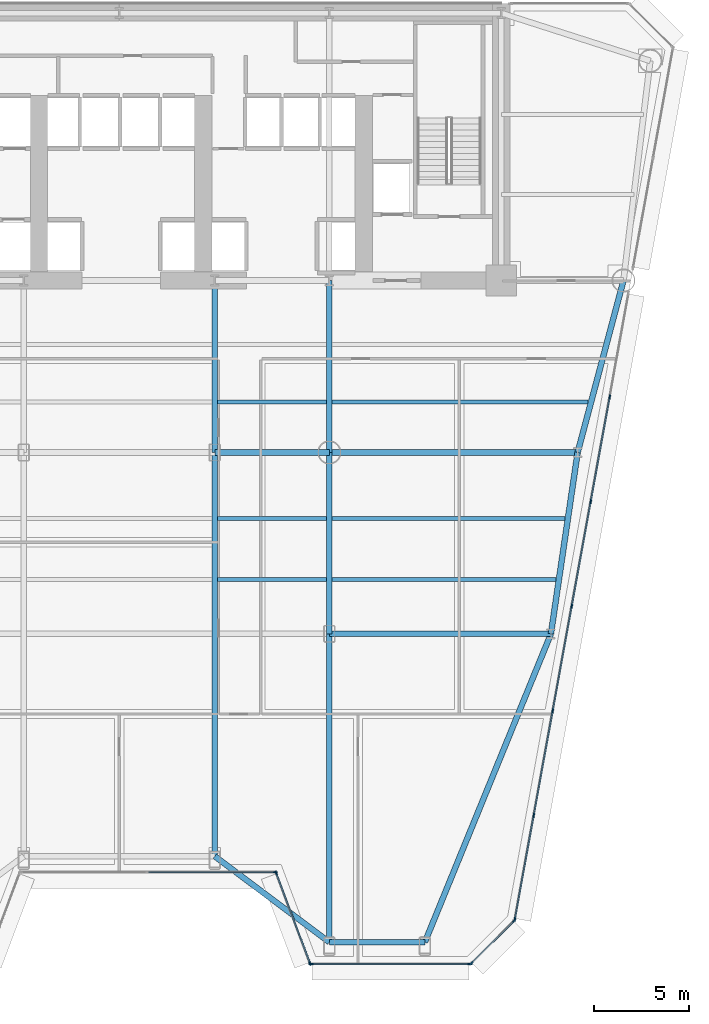
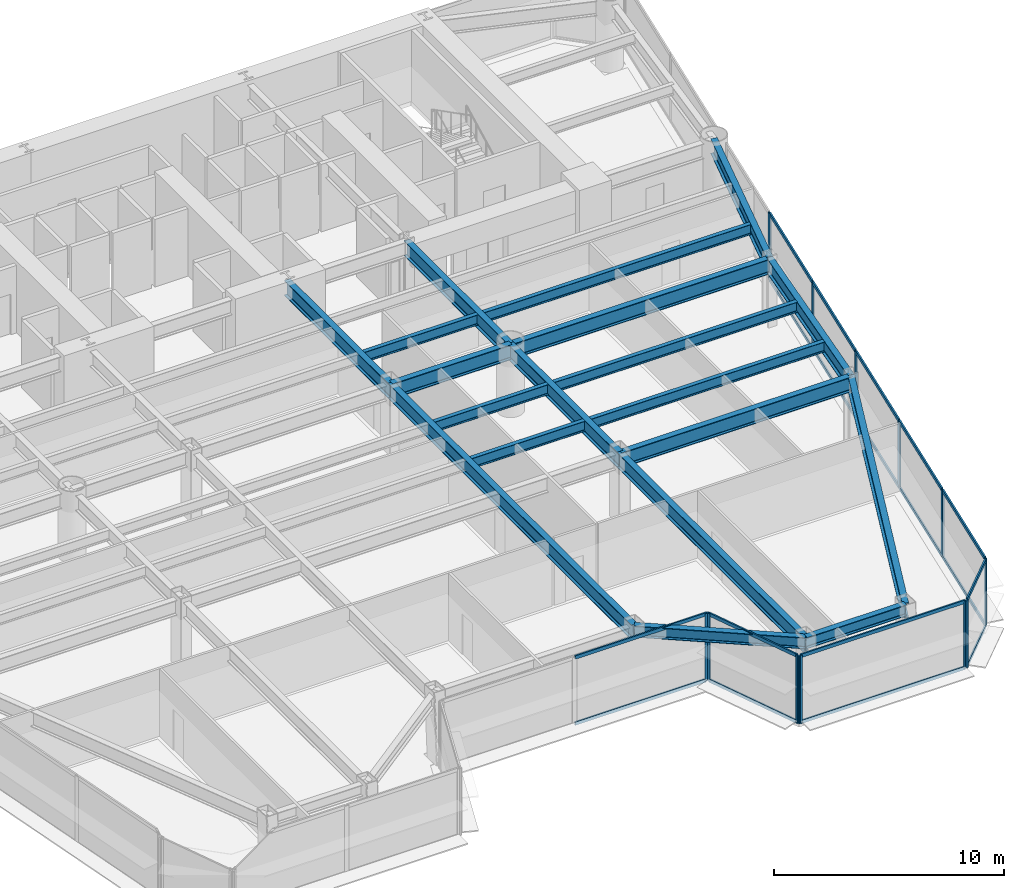
# One storey, part 4 of 14: 31 members, 19 beams, 5 elements without a shape of their own.
"""IFC4 building model written with IfcOpenShell, lengths in metres."""

from ifc_helpers import new_model, si_unit, direction, frame, origin, origin_2d, place, context, subcontext, project, spatial, rectangle, i_section, extrude, source, transform, mapped, material, layer, layer_set, material_profile, profile_set, type_object, element, aggregate, save


model = new_model("IFC4")

# Units and contexts
model_context = context("Model", 3, precision=1e-05, world=origin(), true_north=direction((0.0, 1.0)))
body_context = subcontext(model_context, "Body", "Model", "MODEL_VIEW")
ifc_project = project(units=[si_unit("LENGTHUNIT", "METRE"), si_unit("AREAUNIT", "SQUARE_METRE"), si_unit("VOLUMEUNIT", "CUBIC_METRE"), si_unit("PLANEANGLEUNIT", "RADIAN"), si_unit("MASSUNIT", "GRAM", prefix="KILO")], contexts=[model_context])

# Site, building, storey
site_placement = place(None, origin())
site = spatial("IfcSite", under=ifc_project, at=site_placement, CompositionType="ELEMENT")
building_placement = place(site_placement, origin())
building = spatial("IfcBuilding", under=site, at=building_placement, Name="Vaeldorn Concourse Tower", CompositionType="ELEMENT")
storey_placement = place(building_placement, frame((0.0, 0.0, 30.199951171875)))
storey = spatial("IfcBuildingStorey", under=building, at=storey_placement, Name="L07", CompositionType="ELEMENT", Elevation=30.199951171875)

# Beams
ifc_material_1 = material(Name="Steel S355", Category="steel")
ifc_material_profile_1 = material_profile(ifc_material_1, i_section(OverallWidth=0.300048828125, OverallDepth=0.800048828125, WebThickness=0.017578125, FlangeThickness=0.032958984375, FilletRadius=0.030029296875, at=origin_2d()), Name="HEB 800")
ifc_profile_set_1 = profile_set([ifc_material_profile_1], Name="Steel S355")
beam_type_1 = type_object("IfcBeamType", Name="BM-PG-HEB800", PredefinedType="BEAM", material=ifc_profile_set_1)
shared_shape_1 = source(origin(), body_context, "Body", "SweptSolid", [
    extrude(i_section(OverallWidth=0.300048828125, OverallDepth=0.800048828125, WebThickness=0.017578125, FlangeThickness=0.032958984375, FilletRadius=0.030029296875, at=origin_2d()), origin(), (0.0, 0.0, 1.0), 6.0),
])
beam_1_placement = place(storey_placement, frame((39.0, 27.5, 3.179931640625), z_axis=(1.0, 0.0, 0.0), x_axis=(0.0, 1.0, 0.0)))
element("IfcBeam", 1, at=beam_1_placement, inside=storey, type_object=beam_type_1, Name="Beam BM-L07-C-TW3-C-TW4", PredefinedType="BEAM", context=body_context, shape_type="MappedRepresentation", body=[
    mapped(shared_shape_1, transform((0.0, 0.0, 0.0), scale=1.0)),
])
shared_shape_2 = source(origin(), body_context, "Body", "SweptSolid", [
    extrude(i_section(OverallWidth=0.300048828125, OverallDepth=0.800048828125, WebThickness=0.017578125, FlangeThickness=0.032958984375, FilletRadius=0.030029296875, at=origin_2d()), origin(), (0.0, 0.0, 1.0), 9.0),
])
for number, where, z_axis, x_axis, name in (
    (2, (39.0, 27.5, 3.179931640625), (0.0, 1.0, 0.0), (-1.0, 0.0, 0.0), "Beam BM-L07-C-TW3-C-FC4"),
    (3, (45.0, 27.5, 3.179931640625), (0.0, 1.0, 0.0), (-1.0, 0.0, 0.0), "Beam BM-L07-C-TW4-C-FC5"),
):
    element("IfcBeam", number, at=place(storey_placement, frame(where, z_axis=z_axis, x_axis=x_axis)), inside=storey, type_object=beam_type_1, Name=name, PredefinedType="BEAM", context=body_context, shape_type="MappedRepresentation", body=[
        mapped(shared_shape_2, transform((0.0, 0.0, 0.0), scale=1.0)),
    ])
shared_shape_3 = source(origin(), body_context, "Body", "SweptSolid", [
    extrude(i_section(OverallWidth=0.300048828125, OverallDepth=0.800048828125, WebThickness=0.017578125, FlangeThickness=0.032958984375, FilletRadius=0.030029296875, at=origin_2d()), origin(), (0.0, 0.0, 1.0), 9.314453125),
])
beam_2_placement = place(storey_placement, frame((60.39990234375, 36.5, 3.179931640625), z_axis=(-0.257652862255, -0.966237549763, 0.0), x_axis=(0.966237549763, -0.257652862255, 0.0)))
element("IfcBeam", 4, at=beam_2_placement, inside=storey, type_object=beam_type_1, Name="Beam BM-L07-C-NE2-C-FLE1", PredefinedType="BEAM", context=body_context, shape_type="MappedRepresentation", body=[
    mapped(shared_shape_3, transform((0.0, 0.0, 0.0), scale=1.0)),
])
shared_shape_4 = source(origin(), body_context, "Body", "SweptSolid", [
    extrude(i_section(OverallWidth=0.300048828125, OverallDepth=0.800048828125, WebThickness=0.017578125, FlangeThickness=0.032958984375, FilletRadius=0.030029296875, at=origin_2d()), origin(), (0.0, 0.0, 1.0), 13.0),
])
beam_3_placement = place(storey_placement, frame((45.0, 27.5, 3.179931640625), z_axis=(1.0, 0.0, 0.0), x_axis=(0.0, 1.0, 0.0)))
element("IfcBeam", 5, at=beam_3_placement, inside=storey, type_object=beam_type_1, Name="Beam BM-L07-C-TW4-C-FLE1", PredefinedType="BEAM", context=body_context, shape_type="MappedRepresentation", body=[
    mapped(shared_shape_4, transform((0.0, 0.0, 0.0), scale=1.0)),
])
ifc_material_profile_2 = material_profile(ifc_material_1, i_section(OverallWidth=0.300048828125, OverallDepth=0.60009765625, WebThickness=0.015380859375, FlangeThickness=0.030029296875, FilletRadius=0.027099609375, at=origin_2d()), Name="HEB 600")
ifc_profile_set_2 = profile_set([ifc_material_profile_2], Name="Steel S355")
beam_type_2 = type_object("IfcBeamType", Name="BM-SP-HEB600", PredefinedType="SPANDREL", material=ifc_profile_set_2)
shared_shape_5 = source(origin(), body_context, "Body", "SweptSolid", [
    extrude(i_section(OverallWidth=0.300048828125, OverallDepth=0.60009765625, WebThickness=0.015380859375, FlangeThickness=0.030029296875, FilletRadius=0.027099609375, at=origin_2d()), origin(), (0.0, 0.0, 1.0), 5.0),
])
beam_4_placement = place(storey_placement, frame((45.0, 1.856201171875, 3.280029296875), z_axis=(1.0, 0.0, 0.0), x_axis=(0.0, 1.0, 0.0)))
element("IfcBeam", 6, at=beam_4_placement, inside=storey, type_object=beam_type_2, Name="Beam BM-L07-C-SF5-C-SF6", PredefinedType="SPANDREL", context=body_context, shape_type="MappedRepresentation", body=[
    mapped(shared_shape_5, transform((0.0, 0.0, 0.0), scale=1.0)),
])
shared_shape_6 = source(origin(), body_context, "Body", "SweptSolid", [
    extrude(i_section(OverallWidth=0.300048828125, OverallDepth=0.60009765625, WebThickness=0.015380859375, FlangeThickness=0.030029296875, FilletRadius=0.027099609375, at=origin_2d()), origin(), (0.0, 0.0, 1.0), 7.5),
])
beam_5_placement = place(storey_placement, frame((39.0, 6.356201171875, 3.280029296875), z_axis=(0.8, -0.6, 0.0), x_axis=(0.6, 0.8, 0.0)))
element("IfcBeam", 7, at=beam_5_placement, inside=storey, type_object=beam_type_2, Name="Beam BM-L07-C-SF4-C-SF5", PredefinedType="SPANDREL", context=body_context, shape_type="MappedRepresentation", body=[
    mapped(shared_shape_6, transform((0.0, 0.0, 0.0), scale=1.0)),
])
shared_shape_7 = source(origin(), body_context, "Body", "SweptSolid", [
    extrude(i_section(OverallWidth=0.300048828125, OverallDepth=0.800048828125, WebThickness=0.017578125, FlangeThickness=0.032958984375, FilletRadius=0.030029296875, at=origin_2d()), origin(), (0.0, 0.0, 1.0), 9.6025390625),
])
beam_6_placement = place(storey_placement, frame((58.0, 27.5, 3.179931640625), z_axis=(-0.145783835977, -0.989316467652, 0.0), x_axis=(0.989316467652, -0.145783835977, 0.0)))
element("IfcBeam", 8, at=beam_6_placement, inside=storey, type_object=beam_type_1, Name="Beam BM-L07-C-FLE1-C-FLE2", PredefinedType="BEAM", context=body_context, shape_type="MappedRepresentation", body=[
    mapped(shared_shape_7, transform((0.0, 0.0, 0.0), scale=1.0)),
])
shared_shape_8 = source(origin(), body_context, "Body", "SweptSolid", [
    extrude(i_section(OverallWidth=0.300048828125, OverallDepth=0.800048828125, WebThickness=0.017578125, FlangeThickness=0.032958984375, FilletRadius=0.030029296875, at=origin_2d()), origin(), (0.0, 0.0, 1.0), 11.60009765625),
])
beam_7_placement = place(storey_placement, frame((45.0, 18.0, 3.179931640625), z_axis=(1.0, 0.0, 0.0), x_axis=(0.0, 1.0, 0.0)))
element("IfcBeam", 9, at=beam_7_placement, inside=storey, type_object=beam_type_1, Name="Beam BM-L07-C-TW6-C-FLE2", PredefinedType="BEAM", context=body_context, shape_type="MappedRepresentation", body=[
    mapped(shared_shape_8, transform((0.0, 0.0, 0.0), scale=1.0)),
])
shared_shape_9 = source(origin(), body_context, "Body", "SweptSolid", [
    extrude(i_section(OverallWidth=0.300048828125, OverallDepth=0.800048828125, WebThickness=0.017578125, FlangeThickness=0.032958984375, FilletRadius=0.030029296875, at=origin_2d()), origin(), (0.0, 0.0, 1.0), 9.5),
])
beam_8_placement = place(storey_placement, frame((45.0, 18.0, 3.179931640625), z_axis=(0.0, 1.0, 0.0), x_axis=(-1.0, 0.0, 0.0)))
element("IfcBeam", 10, at=beam_8_placement, inside=storey, type_object=beam_type_1, Name="Beam BM-L07-C-TW6-C-TW4", PredefinedType="BEAM", context=body_context, shape_type="MappedRepresentation", body=[
    mapped(shared_shape_9, transform((0.0, 0.0, 0.0), scale=1.0)),
])
ifc_material_profile_3 = material_profile(ifc_material_1, i_section(OverallWidth=0.2099609375, OverallDepth=0.550048828125, WebThickness=0.010986328125, FlangeThickness=0.01708984375, FilletRadius=0.02392578125, at=origin_2d()), Name="IPE 550")
ifc_profile_set_3 = profile_set([ifc_material_profile_3], Name="Steel S355")
beam_type_3 = type_object("IfcBeamType", Name="BM-JS-IPE550", PredefinedType="JOIST", material=ifc_profile_set_3)
shared_shape_10 = source(origin(), body_context, "Body", "SweptSolid", [
    extrude(i_section(OverallWidth=0.2099609375, OverallDepth=0.550048828125, WebThickness=0.010986328125, FlangeThickness=0.01708984375, FilletRadius=0.02392578125, at=origin_2d()), origin(), (0.0, 0.0, 1.0), 5.7001953125),
])
for number, where, z_axis, x_axis, name in (
    (11, (39.14990234375, 20.840087890625, 3.304931640625), (1.0, 0.0, 0.0), (0.0, 1.0, 0.0), "Beam JS-L07-E2-208"),
    (12, (39.14990234375, 24.0400390625, 3.304931640625), (1.0, 0.0, 0.0), (0.0, 1.0, 0.0), "Beam JS-L07-E2-240"),
    (13, (39.14990234375, 30.139892578125, 3.304931640625), (1.0, 0.0, 0.0), (0.0, 1.0, 0.0), "Beam JS-L07-E2-301"),
):
    element("IfcBeam", number, at=place(storey_placement, frame(where, z_axis=z_axis, x_axis=x_axis)), inside=storey, type_object=beam_type_3, Name=name, PredefinedType="JOIST", context=body_context, shape_type="MappedRepresentation", body=[
        mapped(shared_shape_10, transform((0.0, 0.0, 0.0), scale=1.0)),
    ])
shared_shape_11 = source(origin(), body_context, "Body", "SweptSolid", [
    extrude(i_section(OverallWidth=0.300048828125, OverallDepth=0.800048828125, WebThickness=0.017578125, FlangeThickness=0.032958984375, FilletRadius=0.030029296875, at=origin_2d()), origin(), (0.0, 0.0, 1.0), 17.44091796875),
])
beam_9_placement = place(storey_placement, frame((50.0, 1.856201171875, 3.179931640625), z_axis=(0.378427347763, 0.925630996923, 0.0), x_axis=(-0.925630996923, 0.378427347763, 0.0)))
element("IfcBeam", 14, at=beam_9_placement, inside=storey, type_object=beam_type_1, Name="Beam BM-L07-C-SF6-C-FLE2", PredefinedType="BEAM", context=body_context, shape_type="MappedRepresentation", body=[
    mapped(shared_shape_11, transform((0.0, 0.0, 0.0), scale=1.0)),
])
shared_shape_12 = source(origin(), body_context, "Body", "SweptSolid", [
    extrude(i_section(OverallWidth=0.300048828125, OverallDepth=0.800048828125, WebThickness=0.017578125, FlangeThickness=0.032958984375, FilletRadius=0.030029296875, at=origin_2d()), origin(), (0.0, 0.0, 1.0), 16.143798828125),
])
beam_10_placement = place(storey_placement, frame((45.0, 1.856201171875, 3.179931640625), z_axis=(0.0, 1.0, 0.0), x_axis=(-1.0, 0.0, 0.0)))
element("IfcBeam", 15, at=beam_10_placement, inside=storey, type_object=beam_type_1, Name="Beam BM-L07-C-SF5-C-TW6", PredefinedType="BEAM", context=body_context, shape_type="MappedRepresentation", body=[
    mapped(shared_shape_12, transform((0.0, 0.0, 0.0), scale=1.0)),
])
shared_shape_13 = source(origin(), body_context, "Body", "SweptSolid", [
    extrude(i_section(OverallWidth=0.300048828125, OverallDepth=0.800048828125, WebThickness=0.017578125, FlangeThickness=0.032958984375, FilletRadius=0.030029296875, at=origin_2d()), origin(), (0.0, 0.0, 1.0), 21.143798828125),
])
beam_11_placement = place(storey_placement, frame((39.0, 6.356201171875, 3.179931640625), z_axis=(0.0, 1.0, 0.0), x_axis=(-1.0, 0.0, 0.0)))
element("IfcBeam", 16, at=beam_11_placement, inside=storey, type_object=beam_type_1, Name="Beam BM-L07-C-SF4-C-TW3", PredefinedType="BEAM", context=body_context, shape_type="MappedRepresentation", body=[
    mapped(shared_shape_13, transform((0.0, 0.0, 0.0), scale=1.0)),
])
shared_shape_14 = source(origin(), body_context, "Body", "SweptSolid", [
    extrude(i_section(OverallWidth=0.2099609375, OverallDepth=0.550048828125, WebThickness=0.010986328125, FlangeThickness=0.01708984375, FilletRadius=0.02392578125, at=origin_2d()), origin(), (0.0, 0.0, 1.0), 11.718505859375),
])
beam_12_placement = place(storey_placement, frame((45.14990234375, 20.840087890625, 3.304931640625), z_axis=(1.0, 0.0, 0.0), x_axis=(0.0, 1.0, 0.0)))
element("IfcBeam", 17, at=beam_12_placement, inside=storey, type_object=beam_type_3, Name="Beam JS-L07-E1-208", PredefinedType="JOIST", context=body_context, shape_type="MappedRepresentation", body=[
    mapped(shared_shape_14, transform((0.0, 0.0, 0.0), scale=1.0)),
])
shared_shape_15 = source(origin(), body_context, "Body", "SweptSolid", [
    extrude(i_section(OverallWidth=0.2099609375, OverallDepth=0.550048828125, WebThickness=0.010986328125, FlangeThickness=0.01708984375, FilletRadius=0.02392578125, at=origin_2d()), origin(), (0.0, 0.0, 1.0), 12.190185546875),
])
beam_13_placement = place(storey_placement, frame((45.14990234375, 24.0400390625, 3.304931640625), z_axis=(1.0, 0.0, 0.0), x_axis=(0.0, 1.0, 0.0)))
element("IfcBeam", 18, at=beam_13_placement, inside=storey, type_object=beam_type_3, Name="Beam JS-L07-E1-240", PredefinedType="JOIST", context=body_context, shape_type="MappedRepresentation", body=[
    mapped(shared_shape_15, transform((0.0, 0.0, 0.0), scale=1.0)),
])
shared_shape_16 = source(origin(), body_context, "Body", "SweptSolid", [
    extrude(i_section(OverallWidth=0.2099609375, OverallDepth=0.550048828125, WebThickness=0.010986328125, FlangeThickness=0.01708984375, FilletRadius=0.02392578125, at=origin_2d()), origin(), (0.0, 0.0, 1.0), 13.404052734375),
])
beam_14_placement = place(storey_placement, frame((45.14990234375, 30.139892578125, 3.304931640625), z_axis=(1.0, 0.0, 0.0), x_axis=(0.0, 1.0, 0.0)))
element("IfcBeam", 19, at=beam_14_placement, inside=storey, type_object=beam_type_3, Name="Beam JS-L07-E1-301", PredefinedType="JOIST", context=body_context, shape_type="MappedRepresentation", body=[
    mapped(shared_shape_16, transform((0.0, 0.0, 0.0), scale=1.0)),
])

# Curtain wall, members
ifc_material_2 = material(Name="Anodised Bronze Aluminium", Category="aluminium")
ifc_layer = layer(ifc_material_2, 0.219970703125)
ifc_layer_set = layer_set([ifc_layer], Name="Anodised Bronze Aluminium")
curtain_wall_type = type_object("IfcCurtainWallType", Name="CW-SYS-01", PredefinedType="NOTDEFINED", material=ifc_layer_set)
curtain_wall_1_placement = place(storey_placement, origin())
curtain_wall_1 = element("IfcCurtainWall", 20, at=curtain_wall_1_placement, inside=storey, type_object=curtain_wall_type, Name="Unitised Curtain Wall CW-L07-E03-1", PredefinedType="NOTDEFINED")
ifc_material_profile_4 = material_profile(ifc_material_2, rectangle(XDim=0.074951171875, YDim=0.179931640625, at=origin_2d()), Name="CWT 75x180")
ifc_profile_set_4 = profile_set([ifc_material_profile_4], Name="Anodised Bronze Aluminium")
member_type_1 = type_object("IfcMemberType", Name="CWT-BRONZE-180", PredefinedType="USERDEFINED", material=ifc_profile_set_4)
shared_shape_17 = source(origin(), body_context, "Body", "SweptSolid", [
    extrude(rectangle(XDim=0.074951171875, YDim=0.179931640625, at=origin_2d()), origin(), (0.0, 0.0, 1.0), 6.58740234375),
])
member_1_placement = place(storey_placement, frame((35.53759765625, 5.51708984375, 0.03759765625), z_axis=(1.0, 0.0, 0.0), x_axis=(0.0, 1.0, 0.0)))
member_1 = element("IfcMember", 21, at=member_1_placement, type_object=member_type_1, Name="CW-01 transom 2.1", ObjectType="TRANSOM", PredefinedType="USERDEFINED", context=body_context, shape_type="MappedRepresentation", body=[
    mapped(shared_shape_17, transform((0.0, 0.0, 0.0), scale=1.0)),
])
member_2_placement = place(storey_placement, frame((35.53759765625, 5.51708984375, 3.54248046875), z_axis=(1.0, 0.0, 0.0), x_axis=(0.0, 1.0, 0.0)))
member_2 = element("IfcMember", 22, at=member_2_placement, type_object=member_type_1, Name="CW-01 transom 2.2", ObjectType="TRANSOM", PredefinedType="USERDEFINED", context=body_context, shape_type="MappedRepresentation", body=[
    mapped(shared_shape_17, transform((0.0, 0.0, 0.0), scale=1.0)),
])

curtain_wall_2_placement = place(storey_placement, origin())
curtain_wall_2 = element("IfcCurtainWall", 23, at=curtain_wall_2_placement, inside=storey, type_object=curtain_wall_type, Name="Unitised Curtain Wall CW-L07-E04-1", PredefinedType="NOTDEFINED")
shared_shape_18 = source(origin(), body_context, "Body", "SweptSolid", [
    extrude(rectangle(XDim=0.074951171875, YDim=0.179931640625, at=origin_2d()), origin(), (0.0, 0.0, 1.0), 4.9765625),
])
member_3_placement = place(storey_placement, frame((42.226318359375, 5.447021484375, 0.03759765625), z_axis=(0.351112688987, -0.936333209724, 0.0), x_axis=(0.936333209724, 0.351112688987, 0.0)))
member_3 = element("IfcMember", 24, at=member_3_placement, type_object=member_type_1, Name="CW-01 transom 1.1", ObjectType="TRANSOM", PredefinedType="USERDEFINED", context=body_context, shape_type="MappedRepresentation", body=[
    mapped(shared_shape_18, transform((0.0, 0.0, 0.0), scale=1.0)),
])
member_4_placement = place(storey_placement, frame((42.226318359375, 5.447021484375, 3.54248046875), z_axis=(0.351112688987, -0.936333209724, 0.0), x_axis=(0.936333209724, 0.351112688987, 0.0)))
member_4 = element("IfcMember", 25, at=member_4_placement, type_object=member_type_1, Name="CW-01 transom 1.2", ObjectType="TRANSOM", PredefinedType="USERDEFINED", context=body_context, shape_type="MappedRepresentation", body=[
    mapped(shared_shape_18, transform((0.0, 0.0, 0.0), scale=1.0)),
])

# Member
ifc_material_profile_5 = material_profile(ifc_material_2, rectangle(XDim=0.074951171875, YDim=0.219970703125, at=origin_2d()), Name="CWM 75x220")
ifc_profile_set_5 = profile_set([ifc_material_profile_5], Name="Anodised Bronze Aluminium")
member_type_2 = type_object("IfcMemberType", Name="CWM-BRONZE-220", PredefinedType="MULLION", material=ifc_profile_set_5)
shared_shape_19 = source(origin(), body_context, "Body", "SweptSolid", [
    extrude(rectangle(XDim=0.074951171875, YDim=0.219970703125, at=origin_2d()), origin(), (0.0, 0.0, 1.0), 3.580078125),
])
member_5_placement = place(storey_placement, frame((42.16259765625, 5.51708984375, 0.0), z_axis=(0.0, 0.0, 1.0), x_axis=(0.0, 1.0, 0.0)))
member_5 = element("IfcMember", 26, at=member_5_placement, type_object=member_type_2, Name="CW-01 mullion 3", PredefinedType="MULLION", context=body_context, shape_type="MappedRepresentation", body=[
    mapped(shared_shape_19, transform((0.0, 0.0, 0.0), scale=1.0)),
])

aggregate(curtain_wall_1, [member_5, member_1, member_2])

member_6_placement = place(storey_placement, frame((42.213134765625, 5.482177734375, 0.0), z_axis=(0.0, 0.0, 1.0), x_axis=(0.936329177566, 0.351123441595, 0.0)))
member_6 = element("IfcMember", 27, at=member_6_placement, type_object=member_type_2, Name="CW-01 mullion 1", PredefinedType="MULLION", context=body_context, shape_type="MappedRepresentation", body=[
    mapped(shared_shape_19, transform((0.0, 0.0, 0.0), scale=1.0)),
])

member_7_placement = place(storey_placement, frame((43.98681640625, 0.752197265625, 0.0), z_axis=(0.0, 0.0, 1.0), x_axis=(0.936329177566, 0.351123441595, 0.0)))
member_7 = element("IfcMember", 28, at=member_7_placement, type_object=member_type_2, Name="CW-01 mullion 2", PredefinedType="MULLION", context=body_context, shape_type="MappedRepresentation", body=[
    mapped(shared_shape_19, transform((0.0, 0.0, 0.0), scale=1.0)),
])

aggregate(curtain_wall_2, [member_6, member_7, member_3, member_4])

# Curtain wall, members
curtain_wall_3_placement = place(storey_placement, origin())
curtain_wall_3 = element("IfcCurtainWall", 29, at=curtain_wall_3_placement, inside=storey, type_object=curtain_wall_type, Name="Unitised Curtain Wall CW-L07-E05-1", PredefinedType="NOTDEFINED")
member_8_placement = place(storey_placement, frame((44.03759765625, 0.71728515625, 0.0), z_axis=(0.0, 0.0, 1.0), x_axis=(0.0, 1.0, 0.0)))
member_8 = element("IfcMember", 30, at=member_8_placement, type_object=member_type_2, Name="CW-01 mullion 1", PredefinedType="MULLION", context=body_context, shape_type="MappedRepresentation", body=[
    mapped(shared_shape_19, transform((0.0, 0.0, 0.0), scale=1.0)),
])
member_9_placement = place(storey_placement, frame((52.36572265625, 0.71728515625, 0.0), z_axis=(0.0, 0.0, 1.0), x_axis=(0.0, 1.0, 0.0)))
member_9 = element("IfcMember", 31, at=member_9_placement, type_object=member_type_2, Name="CW-01 mullion 2", PredefinedType="MULLION", context=body_context, shape_type="MappedRepresentation", body=[
    mapped(shared_shape_19, transform((0.0, 0.0, 0.0), scale=1.0)),
])

curtain_wall_4_placement = place(storey_placement, origin())
curtain_wall_4 = element("IfcCurtainWall", 32, at=curtain_wall_4_placement, inside=storey, type_object=curtain_wall_type, Name="Unitised Curtain Wall CW-L07-E06-1", PredefinedType="NOTDEFINED")
member_10_placement = place(storey_placement, frame((52.429931640625, 0.74365234375, 0.0), z_axis=(0.0, 0.0, 1.0), x_axis=(-0.707106781187, 0.707106781187, 0.0)))
member_10 = element("IfcMember", 33, at=member_10_placement, type_object=member_type_2, Name="CW-01 mullion 1", PredefinedType="MULLION", context=body_context, shape_type="MappedRepresentation", body=[
    mapped(shared_shape_19, transform((0.0, 0.0, 0.0), scale=1.0)),
])
member_11_placement = place(storey_placement, frame((54.6767578125, 2.99072265625, 0.0), z_axis=(0.0, 0.0, 1.0), x_axis=(-0.707106781187, 0.707106781187, 0.0)))
member_11 = element("IfcMember", 34, at=member_11_placement, type_object=member_type_2, Name="CW-01 mullion 2", PredefinedType="MULLION", context=body_context, shape_type="MappedRepresentation", body=[
    mapped(shared_shape_19, transform((0.0, 0.0, 0.0), scale=1.0)),
])

curtain_wall_5_placement = place(storey_placement, origin())
curtain_wall_5 = element("IfcCurtainWall", 35, at=curtain_wall_5_placement, inside=storey, type_object=curtain_wall_type, Name="Unitised Curtain Wall CW-L07-E07-1", PredefinedType="NOTDEFINED")
member_12_placement = place(storey_placement, frame((54.7099609375, 3.05419921875, 0.0), z_axis=(0.0, 0.0, 1.0), x_axis=(-0.98390490828, 0.178692841107, 0.0)))
member_12 = element("IfcMember", 36, at=member_12_placement, type_object=member_type_2, Name="CW-01 mullion 1", PredefinedType="MULLION", context=body_context, shape_type="MappedRepresentation", body=[
    mapped(shared_shape_19, transform((0.0, 0.0, 0.0), scale=1.0)),
])
member_13_placement = place(storey_placement, frame((55.697998046875, 8.494384765625, 0.0), z_axis=(0.0, 0.0, 1.0), x_axis=(-0.98390490828, 0.178692841107, 0.0)))
member_13 = element("IfcMember", 37, at=member_13_placement, type_object=member_type_2, Name="CW-01 mullion 2", PredefinedType="MULLION", context=body_context, shape_type="MappedRepresentation", body=[
    mapped(shared_shape_19, transform((0.0, 0.0, 0.0), scale=1.0)),
])
member_14_placement = place(storey_placement, frame((56.69287109375, 13.9716796875, 0.0), z_axis=(0.0, 0.0, 1.0), x_axis=(-0.98390490828, 0.178692841107, 0.0)))
member_14 = element("IfcMember", 38, at=member_14_placement, type_object=member_type_2, Name="CW-01 mullion 3", PredefinedType="MULLION", context=body_context, shape_type="MappedRepresentation", body=[
    mapped(shared_shape_19, transform((0.0, 0.0, 0.0), scale=1.0)),
])
member_15_placement = place(storey_placement, frame((57.6875, 19.44873046875, 0.0), z_axis=(0.0, 0.0, 1.0), x_axis=(-0.98390490828, 0.178692841107, 0.0)))
member_15 = element("IfcMember", 39, at=member_15_placement, type_object=member_type_2, Name="CW-01 mullion 4", PredefinedType="MULLION", context=body_context, shape_type="MappedRepresentation", body=[
    mapped(shared_shape_19, transform((0.0, 0.0, 0.0), scale=1.0)),
])
member_16_placement = place(storey_placement, frame((58.682373046875, 24.926025390625, 0.0), z_axis=(0.0, 0.0, 1.0), x_axis=(-0.98390490828, 0.178692841107, 0.0)))
member_16 = element("IfcMember", 40, at=member_16_placement, type_object=member_type_2, Name="CW-01 mullion 5", PredefinedType="MULLION", context=body_context, shape_type="MappedRepresentation", body=[
    mapped(shared_shape_19, transform((0.0, 0.0, 0.0), scale=1.0)),
])
member_17_placement = place(storey_placement, frame((59.677001953125, 30.4033203125, 0.0), z_axis=(0.0, 0.0, 1.0), x_axis=(-0.98390490828, 0.178692841107, 0.0)))
member_17 = element("IfcMember", 41, at=member_17_placement, type_object=member_type_2, Name="CW-01 mullion 6", PredefinedType="MULLION", context=body_context, shape_type="MappedRepresentation", body=[
    mapped(shared_shape_19, transform((0.0, 0.0, 0.0), scale=1.0)),
])

# Member
shared_shape_20 = source(origin(), body_context, "Body", "SweptSolid", [
    extrude(rectangle(XDim=0.074951171875, YDim=0.179931640625, at=origin_2d()), origin(), (0.0, 0.0, 1.0), 3.1025390625),
])
member_18_placement = place(storey_placement, frame((52.456298828125, 0.770263671875, 0.03759765625), z_axis=(0.707106781187, 0.707106781187, 0.0), x_axis=(-0.707106781187, 0.707106781187, 0.0)))
member_18 = element("IfcMember", 42, at=member_18_placement, type_object=member_type_1, Name="CW-01 transom 1.1", ObjectType="TRANSOM", PredefinedType="USERDEFINED", context=body_context, shape_type="MappedRepresentation", body=[
    mapped(shared_shape_20, transform((0.0, 0.0, 0.0), scale=1.0)),
])

member_19_placement = place(storey_placement, frame((52.456298828125, 0.770263671875, 3.54248046875), z_axis=(0.707106781187, 0.707106781187, 0.0), x_axis=(-0.707106781187, 0.707106781187, 0.0)))
member_19 = element("IfcMember", 43, at=member_19_placement, type_object=member_type_1, Name="CW-01 transom 1.2", ObjectType="TRANSOM", PredefinedType="USERDEFINED", context=body_context, shape_type="MappedRepresentation", body=[
    mapped(shared_shape_20, transform((0.0, 0.0, 0.0), scale=1.0)),
])

aggregate(curtain_wall_4, [member_10, member_11, member_18, member_19])

shared_shape_21 = source(origin(), body_context, "Body", "SweptSolid", [
    extrude(rectangle(XDim=0.074951171875, YDim=0.179931640625, at=origin_2d()), origin(), (0.0, 0.0, 1.0), 8.25341796875),
])
member_20_placement = place(storey_placement, frame((44.074951171875, 0.71728515625, 0.03759765625), z_axis=(1.0, 0.0, 0.0), x_axis=(0.0, 1.0, 0.0)))
member_20 = element("IfcMember", 44, at=member_20_placement, type_object=member_type_1, Name="CW-01 transom 1.1", ObjectType="TRANSOM", PredefinedType="USERDEFINED", context=body_context, shape_type="MappedRepresentation", body=[
    mapped(shared_shape_21, transform((0.0, 0.0, 0.0), scale=1.0)),
])

member_21_placement = place(storey_placement, frame((44.074951171875, 0.71728515625, 3.54248046875), z_axis=(1.0, 0.0, 0.0), x_axis=(0.0, 1.0, 0.0)))
member_21 = element("IfcMember", 45, at=member_21_placement, type_object=member_type_1, Name="CW-01 transom 1.2", ObjectType="TRANSOM", PredefinedType="USERDEFINED", context=body_context, shape_type="MappedRepresentation", body=[
    mapped(shared_shape_21, transform((0.0, 0.0, 0.0), scale=1.0)),
])

aggregate(curtain_wall_3, [member_8, member_9, member_20, member_21])

shared_shape_22 = source(origin(), body_context, "Body", "SweptSolid", [
    extrude(rectangle(XDim=0.074951171875, YDim=0.179931640625, at=origin_2d()), origin(), (0.0, 0.0, 1.0), 5.454345703125),
])
member_22_placement = place(storey_placement, frame((54.716796875, 3.091064453125, 0.03759765625), z_axis=(0.178688483382, 0.983905699702, 0.0), x_axis=(-0.983905699702, 0.178688483382, 0.0)))
member_22 = element("IfcMember", 46, at=member_22_placement, type_object=member_type_1, Name="CW-01 transom 1.1", ObjectType="TRANSOM", PredefinedType="USERDEFINED", context=body_context, shape_type="MappedRepresentation", body=[
    mapped(shared_shape_22, transform((0.0, 0.0, 0.0), scale=1.0)),
])

member_23_placement = place(storey_placement, frame((54.716796875, 3.091064453125, 3.54248046875), z_axis=(0.178688483382, 0.983905699702, 0.0), x_axis=(-0.983905699702, 0.178688483382, 0.0)))
member_23 = element("IfcMember", 47, at=member_23_placement, type_object=member_type_1, Name="CW-01 transom 1.2", ObjectType="TRANSOM", PredefinedType="USERDEFINED", context=body_context, shape_type="MappedRepresentation", body=[
    mapped(shared_shape_22, transform((0.0, 0.0, 0.0), scale=1.0)),
])

shared_shape_23 = source(origin(), body_context, "Body", "SweptSolid", [
    extrude(rectangle(XDim=0.074951171875, YDim=0.179931640625, at=origin_2d()), origin(), (0.0, 0.0, 1.0), 5.491943359375),
])
member_24_placement = place(storey_placement, frame((55.704833984375, 8.53125, 0.03759765625), z_axis=(0.178662450065, 0.983910427293, 0.0), x_axis=(-0.983910427293, 0.178662450065, 0.0)))
member_24 = element("IfcMember", 48, at=member_24_placement, type_object=member_type_1, Name="CW-01 transom 2.1", ObjectType="TRANSOM", PredefinedType="USERDEFINED", context=body_context, shape_type="MappedRepresentation", body=[
    mapped(shared_shape_23, transform((0.0, 0.0, 0.0), scale=1.0)),
])

member_25_placement = place(storey_placement, frame((55.704833984375, 8.53125, 3.54248046875), z_axis=(0.178662450065, 0.983910427293, 0.0), x_axis=(-0.983910427293, 0.178662450065, 0.0)))
member_25 = element("IfcMember", 49, at=member_25_placement, type_object=member_type_1, Name="CW-01 transom 2.2", ObjectType="TRANSOM", PredefinedType="USERDEFINED", context=body_context, shape_type="MappedRepresentation", body=[
    mapped(shared_shape_23, transform((0.0, 0.0, 0.0), scale=1.0)),
])

member_26_placement = place(storey_placement, frame((58.68896484375, 24.962890625, 0.03759765625), z_axis=(0.178705485008, 0.983902611862, 0.0), x_axis=(-0.983902611862, 0.178705485008, 0.0)))
member_26 = element("IfcMember", 50, at=member_26_placement, type_object=member_type_1, Name="CW-01 transom 5.1", ObjectType="TRANSOM", PredefinedType="USERDEFINED", context=body_context, shape_type="MappedRepresentation", body=[
    mapped(shared_shape_23, transform((0.0, 0.0, 0.0), scale=1.0)),
])

member_27_placement = place(storey_placement, frame((58.68896484375, 24.962890625, 3.54248046875), z_axis=(0.178705485008, 0.983902611862, 0.0), x_axis=(-0.983902611862, 0.178705485008, 0.0)))
member_27 = element("IfcMember", 51, at=member_27_placement, type_object=member_type_1, Name="CW-01 transom 5.2", ObjectType="TRANSOM", PredefinedType="USERDEFINED", context=body_context, shape_type="MappedRepresentation", body=[
    mapped(shared_shape_23, transform((0.0, 0.0, 0.0), scale=1.0)),
])

shared_shape_24 = source(origin(), body_context, "Body", "SweptSolid", [
    extrude(rectangle(XDim=0.074951171875, YDim=0.179931640625, at=origin_2d()), origin(), (0.0, 0.0, 1.0), 5.49169921875),
])
member_28_placement = place(storey_placement, frame((56.699462890625, 14.008544921875, 0.03759765625), z_axis=(0.178713301655, 0.983901192098, 0.0), x_axis=(-0.983901192098, 0.178713301655, 0.0)))
member_28 = element("IfcMember", 52, at=member_28_placement, type_object=member_type_1, Name="CW-01 transom 3.1", ObjectType="TRANSOM", PredefinedType="USERDEFINED", context=body_context, shape_type="MappedRepresentation", body=[
    mapped(shared_shape_24, transform((0.0, 0.0, 0.0), scale=1.0)),
])

member_29_placement = place(storey_placement, frame((56.699462890625, 14.008544921875, 3.54248046875), z_axis=(0.178713301655, 0.983901192098, 0.0), x_axis=(-0.983901192098, 0.178713301655, 0.0)))
member_29 = element("IfcMember", 53, at=member_29_placement, type_object=member_type_1, Name="CW-01 transom 3.2", ObjectType="TRANSOM", PredefinedType="USERDEFINED", context=body_context, shape_type="MappedRepresentation", body=[
    mapped(shared_shape_24, transform((0.0, 0.0, 0.0), scale=1.0)),
])

member_30_placement = place(storey_placement, frame((57.6943359375, 19.48583984375, 0.03759765625), z_axis=(0.178670264954, 0.983909008202, 0.0), x_axis=(-0.983909008202, 0.178670264954, 0.0)))
member_30 = element("IfcMember", 54, at=member_30_placement, type_object=member_type_1, Name="CW-01 transom 4.1", ObjectType="TRANSOM", PredefinedType="USERDEFINED", context=body_context, shape_type="MappedRepresentation", body=[
    mapped(shared_shape_24, transform((0.0, 0.0, 0.0), scale=1.0)),
])

member_31_placement = place(storey_placement, frame((57.6943359375, 19.48583984375, 3.54248046875), z_axis=(0.178670264954, 0.983909008202, 0.0), x_axis=(-0.983909008202, 0.178670264954, 0.0)))
member_31 = element("IfcMember", 55, at=member_31_placement, type_object=member_type_1, Name="CW-01 transom 4.2", ObjectType="TRANSOM", PredefinedType="USERDEFINED", context=body_context, shape_type="MappedRepresentation", body=[
    mapped(shared_shape_24, transform((0.0, 0.0, 0.0), scale=1.0)),
])

aggregate(curtain_wall_5, [member_12, member_13, member_14, member_15, member_16, member_17, member_22, member_23, member_24, member_25, member_28, member_29, member_30, member_31, member_26, member_27])

save(model, "model.ifc")
